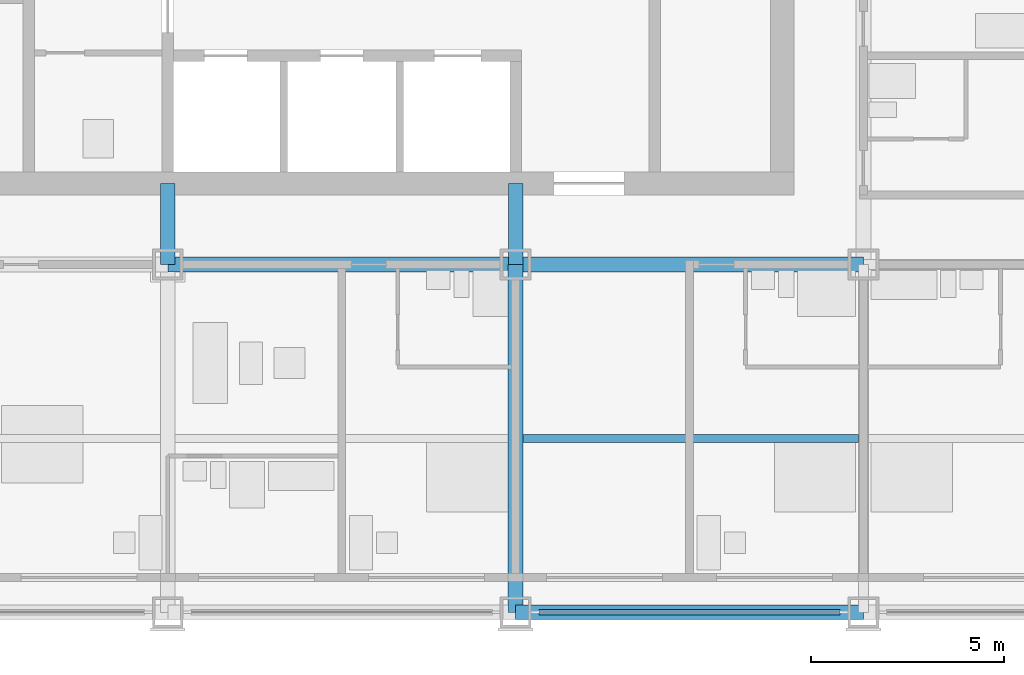
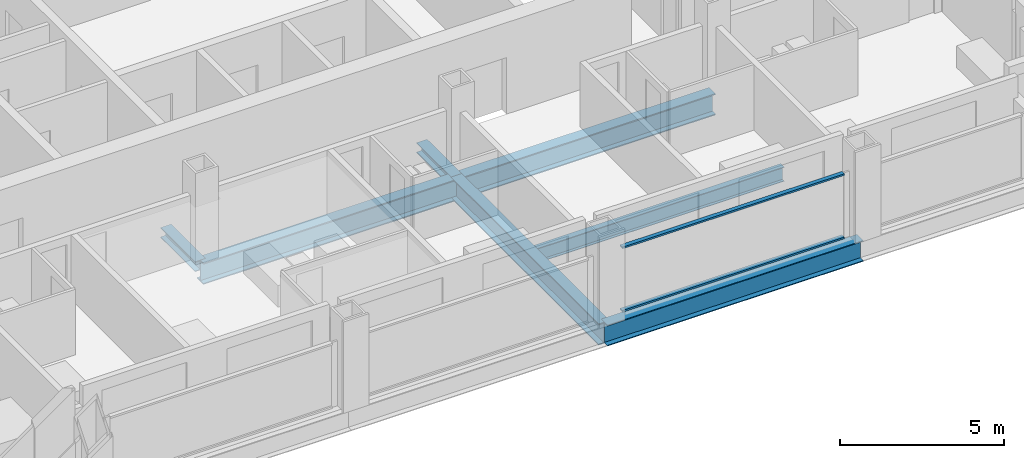
# One storey, part 3 of 16: 5 beams, 4 members, 1 element without a shape of its own.
"""IFC4 building model written with IfcOpenShell, lengths in metres."""

import ifcopenshell
import ifcopenshell.guid

model = None  # the IFC model being written
_history = None  # IfcOwnerHistory: only IFC2X3 demands one
_inside = {}  # id of a spatial element -> (the spatial element, [elements in it])
_under = {}  # id of a project, library or spatial element -> (it, [spatial elements below it])
_declared = {}  # id of a project -> (the project, [libraries it declares])
_typed = {}  # id of a type object -> (the type object, [elements of that type])
_made_of = {}  # id of a material, layer set ... -> (it, [elements and type objects made of it])


def new_model(schema):
    """Start an empty IFC model of exactly this schema.

    Asked for "IFC4X3", IfcOpenShell would pick the latest addendum, in which some entities
    have other attributes; the version numbers below select the first issue.
    IFC2X3 requires an IfcOwnerHistory on every rooted entity: one is made here for all.
    """
    global model, _history
    if schema == "IFC4X3":
        model = ifcopenshell.file(schema_version=(4, 3, 0, 0))
    else:
        model = ifcopenshell.file(schema=schema)
    _inside.clear()
    _under.clear()
    _declared.clear()
    _typed.clear()
    _made_of.clear()
    _history = None
    if model.schema == "IFC2X3":
        org = make("IfcOrganization", Name="unknown")
        user = make(
            "IfcPersonAndOrganization",
            ThePerson=make("IfcPerson", FamilyName="unknown"),
            TheOrganization=org,
        )
        app = make(
            "IfcApplication",
            ApplicationDeveloper=org,
            Version="unknown",
            ApplicationFullName="unknown",
            ApplicationIdentifier="unknown",
        )
        _history = make(
            "IfcOwnerHistory",
            OwningUser=user,
            OwningApplication=app,
            ChangeAction="ADDED",
            CreationDate=0,
        )
    return model


def make(cls, **values):
    """One entity of the class cls with the attributes given. An attribute that is None is left unset."""
    return model.create_entity(
        cls, **{name: value for name, value in values.items() if value is not None}
    )


def rooted(cls, **values):
    """An entity with a GlobalId (a new one), such as an element, a storey or a relation."""
    return make(cls, GlobalId=ifcopenshell.guid.new(), OwnerHistory=_history, **values)


def si_unit(unit_type, name, prefix=None):
    """IfcSIUnit, for example si_unit("LENGTHUNIT", "METRE", prefix="MILLI")."""
    return make("IfcSIUnit", UnitType=unit_type, Prefix=prefix, Name=name)


def assignment(units):
    """IfcUnitAssignment: the units of a project."""
    return None if units is None else make("IfcUnitAssignment", Units=units)


def point(xyz):
    """IfcCartesianPoint."""
    return None if xyz is None else make("IfcCartesianPoint", Coordinates=xyz)


def direction(xyz):
    """IfcDirection."""
    return None if xyz is None else make("IfcDirection", DirectionRatios=xyz)


def frame(location, z_axis=None, x_axis=None):
    """IfcAxis2Placement3D, a coordinate frame: its origin and axes. An axis left out is left unset."""
    return make(
        "IfcAxis2Placement3D",
        Location=point(location),
        Axis=direction(z_axis),
        RefDirection=direction(x_axis),
    )


def frame_2d(location, x_axis=None):
    """IfcAxis2Placement2D, a coordinate frame in the plane: its origin and x axis."""
    return make(
        "IfcAxis2Placement2D", Location=point(location), RefDirection=direction(x_axis)
    )


def origin():
    """The frame at (0, 0, 0) with its axes left unset."""
    return frame((0.0, 0.0, 0.0))


def origin_2d():
    """The frame at (0, 0) in the plane with its x axis left unset."""
    return frame_2d((0.0, 0.0))


def place(relative_to, where):
    """IfcLocalPlacement: puts the frame where relative to a parent placement (None: the world)."""
    return make(
        "IfcLocalPlacement", PlacementRelTo=relative_to, RelativePlacement=where
    )


def context(
    kind, dimensions, precision=None, world=None, true_north=None, identifier=None
):
    """IfcGeometricRepresentationContext, for example the 3D "Model" context."""
    return make(
        "IfcGeometricRepresentationContext",
        ContextIdentifier=identifier,
        ContextType=kind,
        CoordinateSpaceDimension=dimensions,
        Precision=precision,
        WorldCoordinateSystem=world,
        TrueNorth=true_north,
    )


def subcontext(parent, identifier, kind, view, scale=None):
    """IfcGeometricRepresentationSubContext, for example "Body" below "Model"."""
    return make(
        "IfcGeometricRepresentationSubContext",
        ContextIdentifier=identifier,
        ContextType=kind,
        ParentContext=parent,
        TargetScale=scale,
        TargetView=view,
    )


def project(units=None, contexts=None):
    """IfcProject with its units and contexts."""
    return rooted(
        "IfcProject",
        Name="project",
        RepresentationContexts=contexts,
        UnitsInContext=assignment(units),
    )


def spatial(cls, under=None, at=None, **own):
    """A site, building, storey or space (cls), placed at a placement, below another one or the project."""
    s = rooted(cls, ObjectPlacement=at, **own)
    if under is not None:
        _under.setdefault(under.id(), (under, []))[1].append(s)
    return s


def profile(cls, at=None, kind="AREA", **sizes):
    """A parametric profile (cls). Its sizes go by their IFC names, for example OverallWidth=200.0."""
    return make(cls, ProfileType=kind, Position=at, **sizes)


def rectangle(**sizes):
    """IfcRectangleProfileDef."""
    return profile("IfcRectangleProfileDef", **sizes)


def i_section(**sizes):
    """IfcIShapeProfileDef."""
    return profile("IfcIShapeProfileDef", **sizes)


def extrude(swept, where, along, depth):
    """IfcExtrudedAreaSolid: the profile swept, set in the frame where, extruded along a direction by depth."""
    return make(
        "IfcExtrudedAreaSolid",
        SweptArea=swept,
        Position=where,
        ExtrudedDirection=direction(along),
        Depth=depth,
    )


def shape(context_of_items, identifier, shape_type, items):
    """IfcShapeRepresentation: the items that make up one representation, for example the "Body"."""
    return make(
        "IfcShapeRepresentation",
        ContextOfItems=context_of_items,
        RepresentationIdentifier=identifier,
        RepresentationType=shape_type,
        Items=items,
    )


def material(Name=None, Category=None):
    """IfcMaterial."""
    return make("IfcMaterial", Name=Name, Category=Category)


def material_profile(
    of_material, cross_section, Name=None, Category=None, Priority=None
):
    """IfcMaterialProfile: a cross section and its material."""
    return make(
        "IfcMaterialProfile",
        Name=Name,
        Material=of_material,
        Profile=cross_section,
        Priority=Priority,
        Category=Category,
    )


def profile_set(profiles, Name=None, composite=None):
    """IfcMaterialProfileSet."""
    return make(
        "IfcMaterialProfileSet",
        Name=Name,
        MaterialProfiles=profiles,
        CompositeProfile=composite,
    )


def made_of(thing, what):
    """Note that an element or type object is made of a material, layer set ...; save() writes the relation."""
    if what is not None:
        _made_of.setdefault(what.id(), (what, []))[1].append(thing)
    return thing


def type_object(cls, material=None, **own):
    """A type object (cls), such as IfcWallType, which elements share."""
    return made_of(rooted(cls, **own), material)


def element(
    cls,
    number,
    at=None,
    inside=None,
    cuts=None,
    type_object=None,
    material=None,
    context=None,
    identifier="Body",
    shape_type=None,
    held_by="IfcProductDefinitionShape",
    body=None,
    shapes=None,
    **own,
):
    """One element of the class cls, such as IfcWall. Its Tag is "e" and its number.

    at: its placement. inside: the storey or other place that contains it. cuts: it is an
    opening in that element (IfcRelVoidsElement). A single representation is given by context,
    identifier, shape_type and body (its items); several are given by shapes. held_by: the class
    of the entity that holds the representations. save() writes the other relations.
    """
    e = rooted(cls, Tag="e%d" % number, ObjectPlacement=at, **own)
    if body is not None:
        shapes = [shape(context, identifier, shape_type, body)]
    if shapes is not None:
        e.Representation = make(held_by, Representations=shapes)
    if inside is not None:
        _inside.setdefault(inside.id(), (inside, []))[1].append(e)
    if cuts is not None:
        rooted(
            "IfcRelVoidsElement", RelatingBuildingElement=cuts, RelatedOpeningElement=e
        )
    if type_object is not None:
        _typed.setdefault(type_object.id(), (type_object, []))[1].append(e)
    return made_of(e, material)


def aggregate(whole, parts):
    """IfcRelAggregates: a whole, such as a stair, and the parts it consists of."""
    return rooted("IfcRelAggregates", RelatingObject=whole, RelatedObjects=parts)


def save(model, path):
    """Write the relations noted so far, then the file.

    IfcRelAggregates (storeys below a building ...), IfcRelContainedInSpatialStructure (elements
    in a storey), IfcRelDefinesByType, IfcRelAssociatesMaterial and IfcRelDeclares: one each for
    every whole, place, type object, material and project.
    """
    for whole, parts in _under.values():
        aggregate(whole, parts)
    for where, things in _inside.values():
        rooted(
            "IfcRelContainedInSpatialStructure",
            RelatedElements=things,
            RelatingStructure=where,
        )
    for kind, things in _typed.values():
        rooted("IfcRelDefinesByType", RelatedObjects=things, RelatingType=kind)
    for what, things in _made_of.values():
        rooted("IfcRelAssociatesMaterial", RelatedObjects=things, RelatingMaterial=what)
    for by, libraries in _declared.values():
        rooted("IfcRelDeclares", RelatingContext=by, RelatedDefinitions=libraries)
    model.write(path)


model = new_model("IFC4")

# Units and contexts
model_context = context("Model", 3, precision=1e-05, world=origin(), true_north=direction((0.0, 1.0)))
body_context = subcontext(model_context, "Body", "Model", "MODEL_VIEW")
ifc_project = project(units=[si_unit("LENGTHUNIT", "METRE"), si_unit("AREAUNIT", "SQUARE_METRE"), si_unit("VOLUMEUNIT", "CUBIC_METRE"), si_unit("PLANEANGLEUNIT", "RADIAN"), si_unit("MASSUNIT", "GRAM", prefix="KILO")], contexts=[model_context])

# Site, building, storey
site_placement = place(None, origin())
site = spatial("IfcSite", under=ifc_project, at=site_placement, CompositionType="ELEMENT")
building_placement = place(site_placement, origin())
building = spatial("IfcBuilding", under=site, at=building_placement, Name="Loomwork Tower", CompositionType="ELEMENT")
storey_placement = place(building_placement, frame((0.0, 0.0, 121.39990234375)))
storey = spatial("IfcBuildingStorey", under=building, at=storey_placement, Name="L32", CompositionType="ELEMENT", Elevation=121.39990234375)

# Beams
ifc_material_1 = material(Name="Steel ASTM A992", Category="steel")
ifc_material_profile_1 = material_profile(ifc_material_1, i_section(OverallWidth=0.383544921875, OverallDepth=0.794921875, WebThickness=0.02099609375, FlangeThickness=0.0380859375, at=origin_2d()), Name="W30x235")
ifc_profile_set_1 = profile_set([ifc_material_profile_1], Name="Steel ASTM A992")
beam_type_1 = type_object("IfcBeamType", Name="CORE FLANK GIRDER W30x235", PredefinedType="BEAM", material=ifc_profile_set_1)
for number, where, z_axis, x_axis, name in (
    (1, (18.0, 9.0, -0.597412109375), (1.0, 0.0, 0.0), (0.0, 1.0, 0.0), "Core Flank Girder E/4-E/5 L32"),
    (2, (27.0, 9.0, -0.597412109375), (1.0, 0.0, 0.0), (0.0, 1.0, 0.0), "Core Flank Girder E/5-E/6 L32"),
    (3, (27.0, 0.0, -0.597412109375), (0.0, 1.0, 0.0), (-1.0, 0.0, 0.0), "Core Flank Girder D/5-E/5 L32"),
):
    element("IfcBeam", number, at=place(storey_placement, frame(where, z_axis=z_axis, x_axis=x_axis)), inside=storey, type_object=beam_type_1, Name=name, PredefinedType="BEAM", context=body_context, shape_type="SweptSolid", body=[
        extrude(i_section(OverallWidth=0.383544921875, OverallDepth=0.794921875, WebThickness=0.02099609375, FlangeThickness=0.0380859375, at=origin_2d()), origin(), (0.0, 0.0, 1.0), 9.0),
    ])

# Members
ifc_material_2 = material(Name="Steel ASTM A992", Category="steel")
ifc_material_profile_2 = material_profile(ifc_material_2, i_section(OverallWidth=0.373291015625, OverallDepth=0.373291015625, WebThickness=0.016357421875, FlangeThickness=0.026123046875, at=origin_2d()), Name="W14x132")
ifc_profile_set_2 = profile_set([ifc_material_profile_2], Name="Steel ASTM A992")
member_type_1 = type_object("IfcMemberType", Name="CORE LINK STRUT W14x132", PredefinedType="STRUT", material=ifc_profile_set_2)
for number, where, z_axis, x_axis, name in (
    (4, (27.0, 9.0, -0.386474609375), (0.0, 1.0, 0.0), (-1.0, 0.0, 0.0), "Core link strut E/5-27.000,11.100 L32"),
    (5, (18.0, 9.0, -0.386474609375), (0.0, 1.0, 0.0), (-1.0, 0.0, 0.0), "Core link strut E/4-18.000,11.100 L32"),
):
    element("IfcMember", number, at=place(storey_placement, frame(where, z_axis=z_axis, x_axis=x_axis)), inside=storey, type_object=member_type_1, Name=name, PredefinedType="STRUT", context=body_context, shape_type="SweptSolid", body=[
        extrude(i_section(OverallWidth=0.373291015625, OverallDepth=0.373291015625, WebThickness=0.016357421875, FlangeThickness=0.026123046875, at=origin_2d()), origin(), (0.0, 0.0, 1.0), 2.10009765625),
    ])

# Beam
ifc_material_3 = material(Name="Steel ASTM A992", Category="steel")
ifc_material_profile_3 = material_profile(ifc_material_3, i_section(OverallWidth=0.2109375, OverallDepth=0.53857421875, WebThickness=0.011474609375, FlangeThickness=0.018798828125, at=origin_2d()), Name="W21x73")
ifc_profile_set_3 = profile_set([ifc_material_profile_3], Name="Steel ASTM A992")
beam_type_2 = type_object("IfcBeamType", Name="FLOOR JOIST W21x73", PredefinedType="JOIST", material=ifc_profile_set_3)
beam_1_placement = place(storey_placement, frame((27.19091796875, 4.5, -0.46923828125), z_axis=(1.0, 0.0, 0.0), x_axis=(0.0, 1.0, 0.0)))
element("IfcBeam", 6, at=beam_1_placement, inside=storey, type_object=beam_type_2, Name="Floor Joist 27.000,4.500-36.000,4.500 L32", PredefinedType="JOIST", context=body_context, shape_type="SweptSolid", body=[
    extrude(i_section(OverallWidth=0.2109375, OverallDepth=0.53857421875, WebThickness=0.011474609375, FlangeThickness=0.018798828125, at=origin_2d()), origin(), (0.0, 0.0, 1.0), 8.676025390625),
])

# Curtain wall, members
ifc_material_4 = material(Name="Aluminium curtain wall frame", Category="aluminium")
curtain_wall_type = type_object("IfcCurtainWallType", Name="Outer skin glazing hotel", PredefinedType="NOTDEFINED", material=ifc_material_4)
curtain_wall_placement = place(storey_placement, origin())
curtain_wall = element("IfcCurtainWall", 7, at=curtain_wall_placement, inside=storey, type_object=curtain_wall_type, Name="Outer skin glazing hotel cw/S-27", PredefinedType="NOTDEFINED")
ifc_material_5 = material(Name="Aluminium curtain wall frame", Category="aluminium")
ifc_material_profile_4 = material_profile(ifc_material_5, rectangle(XDim=0.14990234375, YDim=0.06494140625, at=origin_2d()), Name="AL 65x150")
ifc_profile_set_4 = profile_set([ifc_material_profile_4], Name="Aluminium curtain wall frame")
member_type_2 = type_object("IfcMemberType", Name="Outer skin glazing hotel transom", PredefinedType="USERDEFINED", material=ifc_profile_set_4)
member_1_placement = place(storey_placement, frame((27.60009765625, 0.0, 0.03271484375), z_axis=(1.0, 0.0, 0.0), x_axis=(0.0, 1.0, 0.0)))
member_1 = element("IfcMember", 8, at=member_1_placement, type_object=member_type_2, Name="CW1 transom 1.1", ObjectType="TRANSOM", PredefinedType="USERDEFINED", context=body_context, shape_type="SweptSolid", body=[
    extrude(rectangle(XDim=0.14990234375, YDim=0.06494140625, at=origin_2d()), origin(), (0.0, 0.0, 1.0), 7.7998046875),
])
member_2_placement = place(storey_placement, frame((27.60009765625, 0.0, 2.3876953125), z_axis=(1.0, 0.0, 0.0), x_axis=(0.0, 1.0, 0.0)))
member_2 = element("IfcMember", 9, at=member_2_placement, type_object=member_type_2, Name="CW1 transom 1.2", ObjectType="TRANSOM", PredefinedType="USERDEFINED", context=body_context, shape_type="SweptSolid", body=[
    extrude(rectangle(XDim=0.14990234375, YDim=0.06494140625, at=origin_2d()), origin(), (0.0, 0.0, 1.0), 7.7998046875),
])
aggregate(curtain_wall, [member_1, member_2])

# Beam
ifc_material_6 = material(Name="Steel ASTM A992", Category="steel")
ifc_material_profile_5 = material_profile(ifc_material_6, i_section(OverallWidth=0.381103515625, OverallDepth=0.77978515625, WebThickness=0.01806640625, FlangeThickness=0.0302734375, at=origin_2d()), Name="W30x191")
ifc_profile_set_5 = profile_set([ifc_material_profile_5], Name="Steel ASTM A992")
beam_type_3 = type_object("IfcBeamType", Name="SPANDREL GIRDER W30x191", PredefinedType="SPANDREL", material=ifc_profile_set_5)
beam_2_placement = place(storey_placement, frame((27.0, 0.0, -0.58984375), z_axis=(1.0, 0.0, 0.0), x_axis=(0.0, 1.0, 0.0)))
element("IfcBeam", 10, at=beam_2_placement, inside=storey, type_object=beam_type_3, Name="Spandrel Girder D/5-D/6 L32", PredefinedType="SPANDREL", context=body_context, shape_type="SweptSolid", body=[
    extrude(i_section(OverallWidth=0.381103515625, OverallDepth=0.77978515625, WebThickness=0.01806640625, FlangeThickness=0.0302734375, at=origin_2d()), origin(), (0.0, 0.0, 1.0), 9.0),
])

save(model, "model.ifc")
